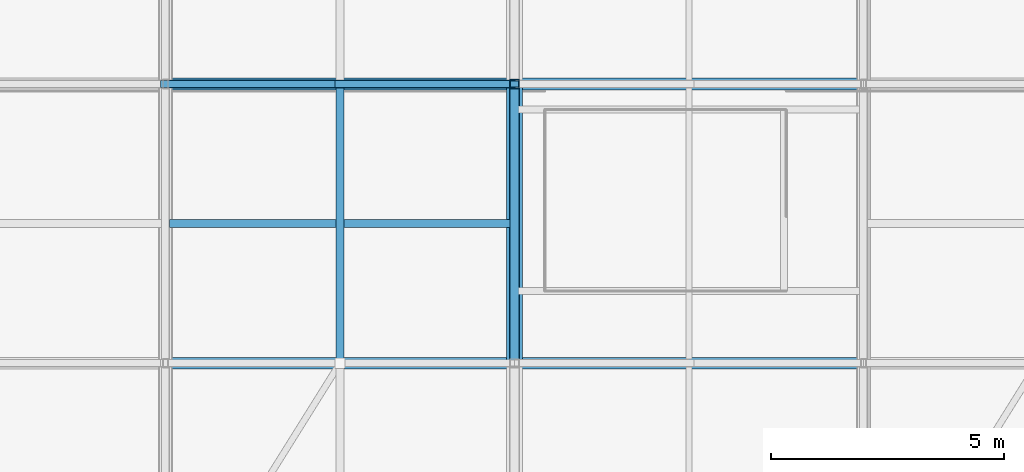
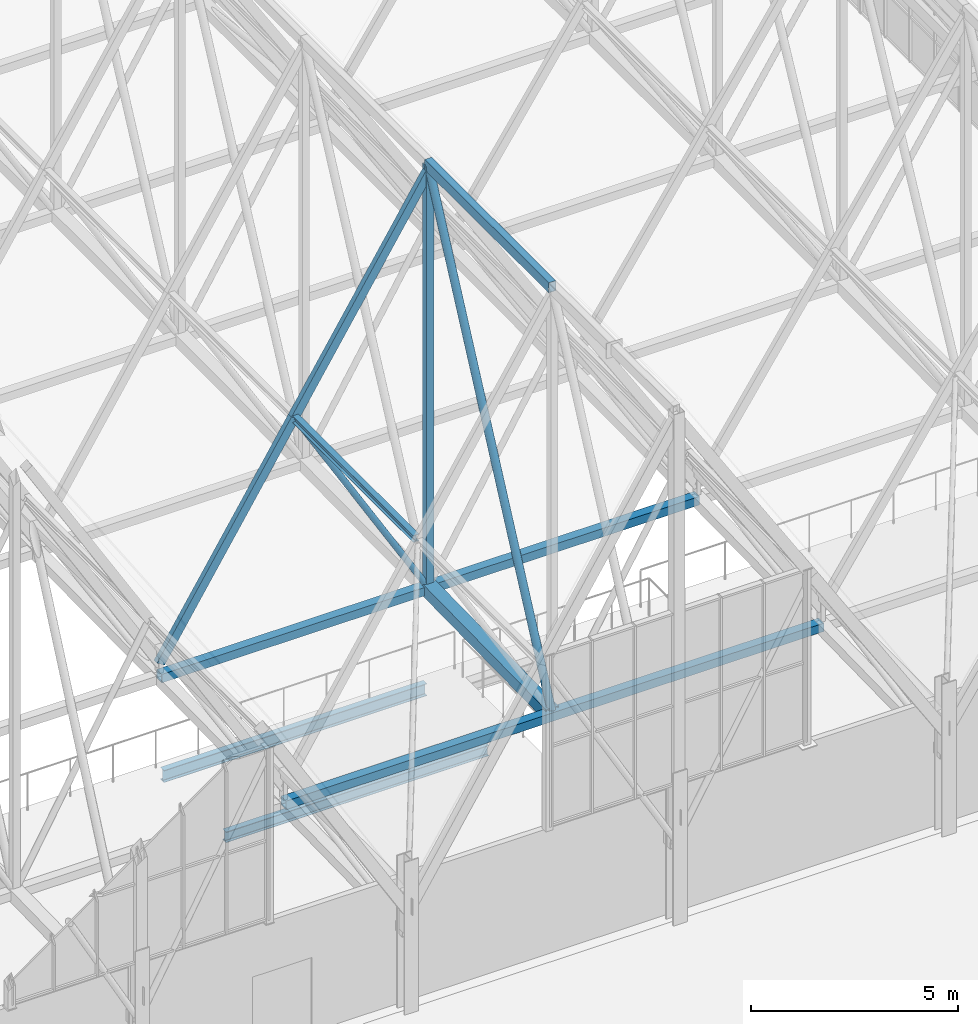
# One storey, part 146 of 324: 9 members, 3 beams.
"""IFC4 building model written with IfcOpenShell, lengths in metres."""

from ifc_helpers import new_model, si_unit, direction, frame, origin, origin_2d, place, context, subcontext, project, spatial, hollow_rectangle, hollow_circle, i_section, extrude, material, material_profile, profile_set, type_object, element, save


model = new_model("IFC4")

# Units and contexts
model_context = context("Model", 3, precision=1e-05, world=origin(), true_north=direction((0.0, 1.0)))
body_context = subcontext(model_context, "Body", "Model", "MODEL_VIEW")
ifc_project = project(units=[si_unit("LENGTHUNIT", "METRE"), si_unit("AREAUNIT", "SQUARE_METRE"), si_unit("VOLUMEUNIT", "CUBIC_METRE"), si_unit("PLANEANGLEUNIT", "RADIAN"), si_unit("MASSUNIT", "GRAM", prefix="KILO")], contexts=[model_context])

# Site, building, storey
site_placement = place(None, origin())
site = spatial("IfcSite", under=ifc_project, at=site_placement, CompositionType="ELEMENT")
building_placement = place(site_placement, origin())
building = spatial("IfcBuilding", under=site, at=building_placement, Name="Solvenia Promenade Tram Depot", CompositionType="ELEMENT")
storey_placement = place(building_placement, frame((0.0, 0.0, 4.5)))
storey = spatial("IfcBuildingStorey", under=building, at=storey_placement, Name="L01", CompositionType="ELEMENT", Elevation=4.5)

# Members
ifc_material_1 = material(Name="Structural steel ASTM A500 Gr. C", Category="steel")
ifc_material_profile_1 = material_profile(ifc_material_1, hollow_circle(Radius=0.109619140625, WallThickness=0.008056640625, at=origin_2d()), Name="CHS219.1x8", Category="steel")
ifc_profile_set_1 = profile_set([ifc_material_profile_1], Name="Structural steel ASTM A500 Gr. C")
member_type_1 = type_object("IfcMemberType", Name="Brace-CHS219x8", PredefinedType="BRACE", material=ifc_profile_set_1)
member_1_placement = place(storey_placement, frame((127.5, 72.0, 2.446044921875), z_axis=(0.0, 0.430100688275, 0.902780924669), x_axis=(-1.0, 0.0, 0.0)))
element("IfcMember", 1, at=member_1_placement, inside=storey, type_object=member_type_1, Name="Arched Truss T18 Web Diagonal S02", PredefinedType="BRACE", context=body_context, shape_type="SweptSolid", body=[
    extrude(hollow_circle(Radius=0.109619140625, WallThickness=0.008056640625, at=origin_2d()), origin(), (0.0, 0.0, 1.0), 13.9501953125),
])
ifc_material_profile_2 = material_profile(ifc_material_1, hollow_rectangle(XDim=0.14990234375, YDim=0.25, WallThickness=0.010009765625, at=origin_2d()), Name="HSS250x150x10", Category="steel")
ifc_profile_set_2 = profile_set([ifc_material_profile_2], Name="Structural steel ASTM A500 Gr. C")
member_type_2 = type_object("IfcMemberType", Name="Chord-HSS250x150x10", PredefinedType="CHORD", material=ifc_profile_set_2)
member_2_placement = place(storey_placement, frame((120.0, 78.0, 2.942626953125), z_axis=(0.533506771487, 0.0, 0.845795793781), x_axis=(0.0, 1.0, 0.0)))
element("IfcMember", 2, at=member_2_placement, inside=storey, type_object=member_type_2, Name="Zigzag Gable 09 West Lower Rafter", PredefinedType="CHORD", context=body_context, shape_type="SweptSolid", body=[
    extrude(hollow_rectangle(XDim=0.14990234375, YDim=0.25, WallThickness=0.010009765625, at=origin_2d()), origin(), (0.0, 0.0, 1.0), 7.029052734375),
])
member_3_placement = place(storey_placement, frame((123.75, 78.0, 8.8876953125), z_axis=(0.533522444929, 0.0, 0.845785907164), x_axis=(0.0, 1.0, 0.0)))
element("IfcMember", 3, at=member_3_placement, inside=storey, type_object=member_type_2, Name="Zigzag Gable 09 West Upper Rafter", PredefinedType="CHORD", context=body_context, shape_type="SweptSolid", body=[
    extrude(hollow_rectangle(XDim=0.14990234375, YDim=0.25, WallThickness=0.010009765625, at=origin_2d()), origin(), (0.0, 0.0, 1.0), 7.02880859375),
])
ifc_material_profile_3 = material_profile(ifc_material_1, hollow_rectangle(XDim=0.25, YDim=0.25, WallThickness=0.010009765625, at=origin_2d()), Name="HSS250x250x10", Category="steel")
ifc_profile_set_3 = profile_set([ifc_material_profile_3], Name="Structural steel ASTM A500 Gr. C")
member_type_3 = type_object("IfcMemberType", Name="Chord-HSS250x250x10", PredefinedType="CHORD", material=ifc_profile_set_3)
for number, where, z_axis, x_axis, name in (
    (4, (120.0, 72.0, 2.446044921875), (1.0, 0.0, 0.0), (0.0, 1.0, 0.0), "Bottom-Chord Catenary Lateral Tie 073"),
    (5, (120.0, 78.0, 2.5439453125), (1.0, 0.0, 0.0), (0.0, 1.0, 0.0), "Bottom-Chord Catenary Lateral Tie 074"),
):
    element("IfcMember", number, at=place(storey_placement, frame(where, z_axis=z_axis, x_axis=x_axis)), inside=storey, type_object=member_type_3, Name=name, PredefinedType="CHORD", context=body_context, shape_type="SweptSolid", body=[
        extrude(hollow_rectangle(XDim=0.25, YDim=0.25, WallThickness=0.010009765625, at=origin_2d()), origin(), (0.0, 0.0, 1.0), 15.0),
    ])
ifc_material_profile_4 = material_profile(ifc_material_1, hollow_rectangle(XDim=0.199951171875, YDim=0.300048828125, WallThickness=0.012451171875, at=origin_2d()), Name="HSS300x200x12.5", Category="steel")
ifc_profile_set_4 = profile_set([ifc_material_profile_4], Name="Structural steel ASTM A500 Gr. C")
member_type_4 = type_object("IfcMemberType", Name="Chord-HSS300x200x12", PredefinedType="CHORD", material=ifc_profile_set_4)
member_4_placement = place(storey_placement, frame((127.5, 72.0, 15.0400390625), z_axis=(0.0, 1.0, 0.0), x_axis=(-1.0, 0.0, 0.0)))
element("IfcMember", 6, at=member_4_placement, inside=storey, type_object=member_type_4, Name="Arched Truss T18 Upper Chord S02", PredefinedType="CHORD", context=body_context, shape_type="SweptSolid", body=[
    extrude(hollow_rectangle(XDim=0.199951171875, YDim=0.300048828125, WallThickness=0.012451171875, at=origin_2d()), origin(), (0.0, 0.0, 1.0), 6.0),
])
ifc_material_profile_5 = material_profile(ifc_material_1, hollow_rectangle(XDim=0.35009765625, YDim=0.35009765625, WallThickness=0.01611328125, at=origin_2d()), Name="HSS350x350x16", Category="steel")
ifc_profile_set_5 = profile_set([ifc_material_profile_5], Name="Structural steel ASTM A500 Gr. C")
member_type_5 = type_object("IfcMemberType", Name="Chord-HSS350x350x16", PredefinedType="CHORD", material=ifc_profile_set_5)
member_5_placement = place(storey_placement, frame((127.5, 72.0, 2.446044921875), z_axis=(0.0, 0.999866908707, 0.016314560156), x_axis=(-1.0, 0.0, 0.0)))
element("IfcMember", 7, at=member_5_placement, inside=storey, type_object=member_type_5, Name="Arched Truss T18 Bottom Chord S02", PredefinedType="CHORD", context=body_context, shape_type="SweptSolid", body=[
    extrude(hollow_rectangle(XDim=0.35009765625, YDim=0.35009765625, WallThickness=0.01611328125, at=origin_2d()), origin(), (0.0, 0.0, 1.0), 6.000732421875),
])

# Beam
ifc_material_2 = material(Name="Structural steel ASTM A992 Gr. 50", Category="steel")
ifc_material_profile_6 = material_profile(ifc_material_2, i_section(OverallWidth=0.166015625, OverallDepth=0.31298828125, WebThickness=0.006591796875, FlangeThickness=0.01123046875, FilletRadius=0.010009765625, at=origin_2d()), Name="W310x45", Category="steel")
ifc_profile_set_6 = profile_set([ifc_material_profile_6], Name="Structural steel ASTM A992 Gr. 50")
beam_type_1 = type_object("IfcBeamType", Name="Joist-W310x45", PredefinedType="JOIST", material=ifc_profile_set_6)
beam_1_placement = place(storey_placement, frame((120.0849609375, 75.0, -0.37646484375), z_axis=(1.0, 0.0, 0.0), x_axis=(0.0, 1.0, 0.0)))
element("IfcBeam", 8, at=beam_1_placement, inside=storey, type_object=beam_type_1, Name="Secondary Floor Joist BM-L01-0111", PredefinedType="JOIST", context=body_context, shape_type="SweptSolid", body=[
    extrude(i_section(OverallWidth=0.166015625, OverallDepth=0.31298828125, WebThickness=0.006591796875, FlangeThickness=0.01123046875, FilletRadius=0.010009765625, at=origin_2d()), origin(), (0.0, 0.0, 1.0), 7.330078125),
])

# Member
ifc_material_profile_7 = material_profile(ifc_material_1, hollow_rectangle(XDim=0.199951171875, YDim=0.199951171875, WallThickness=0.010009765625, at=origin_2d()), Name="HSS200x200x10", Category="steel")
ifc_profile_set_7 = profile_set([ifc_material_profile_7], Name="Structural steel ASTM A500 Gr. C")
member_type_6 = type_object("IfcMemberType", Name="Post-HSS200x200x10", PredefinedType="POST", material=ifc_profile_set_7)
member_6_placement = place(storey_placement, frame((127.5, 78.0, 2.5439453125), z_axis=(0.0, 0.0, 1.0), x_axis=(1.0, 0.0, 0.0)))
element("IfcMember", 9, at=member_6_placement, inside=storey, type_object=member_type_6, Name="Arched Truss T18 Web Post S02", PredefinedType="POST", context=body_context, shape_type="SweptSolid", body=[
    extrude(hollow_rectangle(XDim=0.199951171875, YDim=0.199951171875, WallThickness=0.010009765625, at=origin_2d()), origin(), (0.0, 0.0, 1.0), 12.49609375),
])

# Beams
ifc_material_profile_8 = material_profile(ifc_material_2, i_section(OverallWidth=0.1650390625, OverallDepth=0.200927734375, WebThickness=0.006103515625, FlangeThickness=0.01025390625, FilletRadius=0.010009765625, at=origin_2d()), Name="W200x36", Category="steel")
ifc_profile_set_8 = profile_set([ifc_material_profile_8], Name="Structural steel ASTM A992 Gr. 50")
beam_type_2 = type_object("IfcBeamType", Name="Purlin-W200x36", PredefinedType="USERDEFINED", material=ifc_profile_set_8)
beam_2_placement = place(storey_placement, frame((123.75, 72.0849609375, 8.8857421875), z_axis=(0.0, 1.0, 0.0), x_axis=(-1.0, 0.0, 0.0)))
element("IfcBeam", 10, at=beam_2_placement, inside=storey, type_object=beam_type_2, Name="Gable Roof Purlin W-0163", ObjectType="PURLIN", PredefinedType="USERDEFINED", context=body_context, shape_type="SweptSolid", body=[
    extrude(i_section(OverallWidth=0.1650390625, OverallDepth=0.200927734375, WebThickness=0.006103515625, FlangeThickness=0.01025390625, FilletRadius=0.010009765625, at=origin_2d()), origin(), (0.0, 0.0, 1.0), 5.830078125),
])
ifc_material_profile_9 = material_profile(ifc_material_2, i_section(OverallWidth=0.172119140625, OverallDepth=0.35791015625, WebThickness=0.0078125, FlangeThickness=0.01318359375, FilletRadius=0.010986328125, at=origin_2d()), Name="W360x57", Category="steel")
ifc_profile_set_9 = profile_set([ifc_material_profile_9], Name="Structural steel ASTM A992 Gr. 50")
beam_type_3 = type_object("IfcBeamType", Name="Spandrel-W360x57", PredefinedType="SPANDREL", material=ifc_profile_set_9)
beam_3_placement = place(storey_placement, frame((120.0849609375, 78.0, -0.39892578125), z_axis=(1.0, 0.0, 0.0), x_axis=(0.0, 1.0, 0.0)))
element("IfcBeam", 11, at=beam_3_placement, inside=storey, type_object=beam_type_3, Name="Perimeter Spandrel BM-L01-0037", PredefinedType="SPANDREL", context=body_context, shape_type="SweptSolid", body=[
    extrude(i_section(OverallWidth=0.172119140625, OverallDepth=0.35791015625, WebThickness=0.0078125, FlangeThickness=0.01318359375, FilletRadius=0.010986328125, at=origin_2d()), origin(), (0.0, 0.0, 1.0), 7.330078125),
])

# Member
ifc_material_profile_10 = material_profile(ifc_material_1, hollow_circle(Radius=0.084228515625, WallThickness=0.008056640625, at=origin_2d()), Name="CHS168.3x8", Category="steel")
ifc_profile_set_10 = profile_set([ifc_material_profile_10], Name="Structural steel ASTM A500 Gr. C")
member_type_7 = type_object("IfcMemberType", Name="WebDiag-CHS168x8", PredefinedType="BRACE", material=ifc_profile_set_10)
member_7_placement = place(storey_placement, frame((127.5, 78.0, 2.5439453125), z_axis=(-0.508872173777, 0.0, 0.860842093973), x_axis=(0.0, -1.0, 0.0)))
element("IfcMember", 12, at=member_7_placement, inside=storey, type_object=member_type_7, Name="Zigzag Gable 09 West Knee Strut", PredefinedType="BRACE", context=body_context, shape_type="SweptSolid", body=[
    extrude(hollow_circle(Radius=0.084228515625, WallThickness=0.008056640625, at=origin_2d()), origin(), (0.0, 0.0, 1.0), 7.369140625),
])

save(model, "model.ifc")
